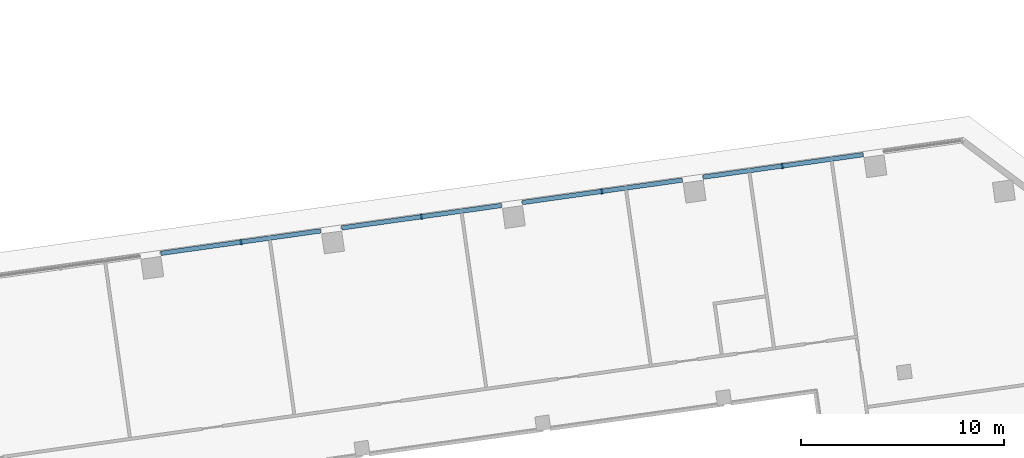
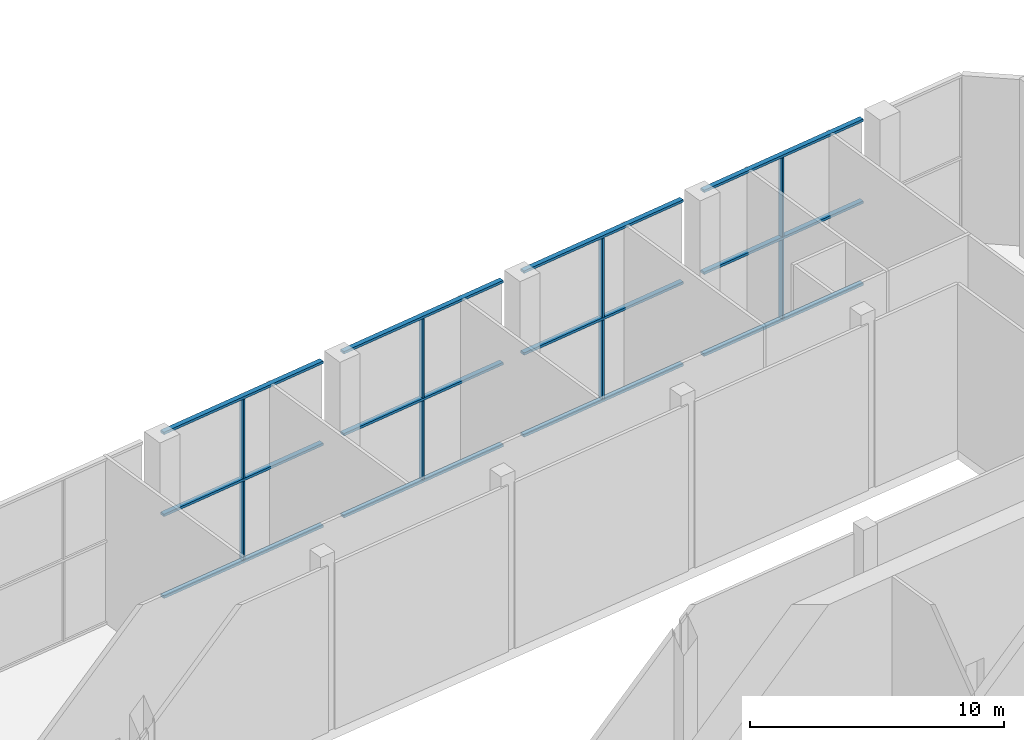
# One storey, part 9 of 31: 20 members, 1 element without a shape of its own.
"""IFC4 building model written with IfcOpenShell, lengths in metres."""

from ifc_helpers import new_model, si_unit, direction, frame, origin, origin_2d, place, context, subcontext, project, spatial, rectangle, extrude, material, material_profile, profile_set, type_object, element, aggregate, save


model = new_model("IFC4")

# Units and contexts
model_context = context("Model", 3, precision=1e-05, world=origin(), true_north=direction((0.0, 1.0)))
body_context = subcontext(model_context, "Body", "Model", "MODEL_VIEW")
ifc_project = project(units=[si_unit("LENGTHUNIT", "METRE"), si_unit("AREAUNIT", "SQUARE_METRE"), si_unit("VOLUMEUNIT", "CUBIC_METRE"), si_unit("PLANEANGLEUNIT", "RADIAN"), si_unit("MASSUNIT", "GRAM", prefix="KILO")], contexts=[model_context])

# Site, building, storey
site_placement = place(None, origin())
site = spatial("IfcSite", under=ifc_project, at=site_placement, CompositionType="ELEMENT")
building_placement = place(site_placement, origin())
building = spatial("IfcBuilding", under=site, at=building_placement, Name="Mirante Cascada Hotel Towers", CompositionType="ELEMENT")
storey_placement = place(building_placement, frame((0.0, 0.0, 9.0)))
storey = spatial("IfcBuildingStorey", under=building, at=storey_placement, Name="L01", CompositionType="ELEMENT", Elevation=9.0)

# Curtain wall, members
ifc_material_1 = material(Name="Aluminium mullion and transom frame with clear laminated glass", Category="aluminium")
curtain_wall_type = type_object("IfcCurtainWallType", Name="Podium curtain wall ECW3", PredefinedType="NOTDEFINED", material=ifc_material_1)
curtain_wall_placement = place(storey_placement, origin())
curtain_wall = element("IfcCurtainWall", 1, at=curtain_wall_placement, inside=storey, type_object=curtain_wall_type, Name="Front podium glazing T2 L01", PredefinedType="NOTDEFINED")
ifc_material_2 = material(Name="Anodised aluminium extrusion", Category="aluminium")
ifc_material_profile_1 = material_profile(ifc_material_2, rectangle(XDim=0.26, YDim=0.08, at=origin_2d()), Name="ECW3 MULLION 80x260")
ifc_profile_set_1 = profile_set([ifc_material_profile_1], Name="Anodised aluminium extrusion")
member_type_1 = type_object("IfcMemberType", Name="ECW3 mullion 80x260", PredefinedType="MULLION", material=ifc_profile_set_1)
member_1_placement = place(storey_placement, frame((85.2633, 24.802, 0.12), z_axis=(0.0, 0.0, 1.0), x_axis=(0.1391731, -0.9902681, 0.0)))
member_1 = element("IfcMember", 2, at=member_1_placement, type_object=member_type_1, Name="ECW3 mullion 3", PredefinedType="MULLION", context=body_context, shape_type="SweptSolid", body=[
    extrude(rectangle(XDim=0.26, YDim=0.08, at=origin_2d()), origin(), (0.0, 0.0, 1.0), 3.82),
])
member_2_placement = place(storey_placement, frame((85.2633, 24.802, 4.06), z_axis=(0.0, 0.0, 1.0), x_axis=(0.1391731, -0.9902681, 0.0)))
member_2 = element("IfcMember", 3, at=member_2_placement, type_object=member_type_1, Name="ECW3 mullion 3", PredefinedType="MULLION", context=body_context, shape_type="SweptSolid", body=[
    extrude(rectangle(XDim=0.26, YDim=0.08, at=origin_2d()), origin(), (0.0, 0.0, 1.0), 3.82),
])
member_3_placement = place(storey_placement, frame((76.3685, 23.5519, 0.12), z_axis=(0.0, 0.0, 1.0), x_axis=(0.1391731, -0.9902681, 0.0)))
member_3 = element("IfcMember", 4, at=member_3_placement, type_object=member_type_1, Name="ECW3 mullion 5", PredefinedType="MULLION", context=body_context, shape_type="SweptSolid", body=[
    extrude(rectangle(XDim=0.26, YDim=0.08, at=origin_2d()), origin(), (0.0, 0.0, 1.0), 3.82),
])
member_4_placement = place(storey_placement, frame((76.3685, 23.5519, 4.06), z_axis=(0.0, 0.0, 1.0), x_axis=(0.1391731, -0.9902681, 0.0)))
member_4 = element("IfcMember", 5, at=member_4_placement, type_object=member_type_1, Name="ECW3 mullion 5", PredefinedType="MULLION", context=body_context, shape_type="SweptSolid", body=[
    extrude(rectangle(XDim=0.26, YDim=0.08, at=origin_2d()), origin(), (0.0, 0.0, 1.0), 3.82),
])
member_5_placement = place(storey_placement, frame((67.4737, 22.3018, 0.12), z_axis=(0.0, 0.0, 1.0), x_axis=(0.1391731, -0.9902681, 0.0)))
member_5 = element("IfcMember", 6, at=member_5_placement, type_object=member_type_1, Name="ECW3 mullion 7", PredefinedType="MULLION", context=body_context, shape_type="SweptSolid", body=[
    extrude(rectangle(XDim=0.26, YDim=0.08, at=origin_2d()), origin(), (0.0, 0.0, 1.0), 3.82),
])
member_6_placement = place(storey_placement, frame((67.4737, 22.3018, 4.06), z_axis=(0.0, 0.0, 1.0), x_axis=(0.1391731, -0.9902681, 0.0)))
member_6 = element("IfcMember", 7, at=member_6_placement, type_object=member_type_1, Name="ECW3 mullion 7", PredefinedType="MULLION", context=body_context, shape_type="SweptSolid", body=[
    extrude(rectangle(XDim=0.26, YDim=0.08, at=origin_2d()), origin(), (0.0, 0.0, 1.0), 3.82),
])
member_7_placement = place(storey_placement, frame((58.5788, 21.0517, 0.12), z_axis=(0.0, 0.0, 1.0), x_axis=(0.1391731, -0.9902681, 0.0)))
member_7 = element("IfcMember", 8, at=member_7_placement, type_object=member_type_1, Name="ECW3 mullion 9", PredefinedType="MULLION", context=body_context, shape_type="SweptSolid", body=[
    extrude(rectangle(XDim=0.26, YDim=0.08, at=origin_2d()), origin(), (0.0, 0.0, 1.0), 3.82),
])
member_8_placement = place(storey_placement, frame((58.5788, 21.0517, 4.06), z_axis=(0.0, 0.0, 1.0), x_axis=(0.1391731, -0.9902681, 0.0)))
member_8 = element("IfcMember", 9, at=member_8_placement, type_object=member_type_1, Name="ECW3 mullion 9", PredefinedType="MULLION", context=body_context, shape_type="SweptSolid", body=[
    extrude(rectangle(XDim=0.26, YDim=0.08, at=origin_2d()), origin(), (0.0, 0.0, 1.0), 3.82),
])
ifc_material_3 = material(Name="Anodised aluminium extrusion", Category="aluminium")
ifc_material_profile_2 = material_profile(ifc_material_3, rectangle(XDim=0.22, YDim=0.12, at=origin_2d()), Name="ECW3 TRANSOM 120x220")
ifc_profile_set_2 = profile_set([ifc_material_profile_2], Name="Anodised aluminium extrusion")
member_type_2 = type_object("IfcMemberType", Name="ECW3 transom 120x220", PredefinedType="USERDEFINED", material=ifc_profile_set_2)
member_9_placement = place(storey_placement, frame((89.2485, 25.3621, 0.06), z_axis=(-0.9902683, -0.1391715, 0.0), x_axis=(0.1391715, -0.9902683, 0.0)))
member_9 = element("IfcMember", 10, at=member_9_placement, type_object=member_type_2, Name="ECW3 sill transom", ObjectType="TRANSOM", PredefinedType="USERDEFINED", context=body_context, shape_type="SweptSolid", body=[
    extrude(rectangle(XDim=0.22, YDim=0.12, at=origin_2d()), origin(), (0.0, 0.0, 1.0), 7.96),
])
member_10_placement = place(storey_placement, frame((80.3361, 24.1095, 0.06), z_axis=(-0.9902683, -0.1391715, 0.0), x_axis=(0.1391715, -0.9902683, 0.0)))
member_10 = element("IfcMember", 11, at=member_10_placement, type_object=member_type_2, Name="ECW3 sill transom", ObjectType="TRANSOM", PredefinedType="USERDEFINED", context=body_context, shape_type="SweptSolid", body=[
    extrude(rectangle(XDim=0.22, YDim=0.12, at=origin_2d()), origin(), (0.0, 0.0, 1.0), 7.96),
])
member_11_placement = place(storey_placement, frame((71.4237, 22.857, 0.06), z_axis=(-0.9902683, -0.1391715, 0.0), x_axis=(0.1391715, -0.9902683, 0.0)))
member_11 = element("IfcMember", 12, at=member_11_placement, type_object=member_type_2, Name="ECW3 sill transom", ObjectType="TRANSOM", PredefinedType="USERDEFINED", context=body_context, shape_type="SweptSolid", body=[
    extrude(rectangle(XDim=0.22, YDim=0.12, at=origin_2d()), origin(), (0.0, 0.0, 1.0), 7.96),
])
member_12_placement = place(storey_placement, frame((62.5113, 21.6044, 0.06), z_axis=(-0.9902683, -0.1391715, 0.0), x_axis=(0.1391715, -0.9902683, 0.0)))
member_12 = element("IfcMember", 13, at=member_12_placement, type_object=member_type_2, Name="ECW3 sill transom", ObjectType="TRANSOM", PredefinedType="USERDEFINED", context=body_context, shape_type="SweptSolid", body=[
    extrude(rectangle(XDim=0.22, YDim=0.12, at=origin_2d()), origin(), (0.0, 0.0, 1.0), 7.96),
])
member_13_placement = place(storey_placement, frame((89.2485, 25.3621, 4.0), z_axis=(-0.9902683, -0.1391715, 0.0), x_axis=(0.1391715, -0.9902683, 0.0)))
member_13 = element("IfcMember", 14, at=member_13_placement, type_object=member_type_2, Name="ECW3 intermediate transom", ObjectType="TRANSOM", PredefinedType="USERDEFINED", context=body_context, shape_type="SweptSolid", body=[
    extrude(rectangle(XDim=0.22, YDim=0.12, at=origin_2d()), origin(), (0.0, 0.0, 1.0), 7.96),
])
member_14_placement = place(storey_placement, frame((80.3361, 24.1095, 4.0), z_axis=(-0.9902683, -0.1391715, 0.0), x_axis=(0.1391715, -0.9902683, 0.0)))
member_14 = element("IfcMember", 15, at=member_14_placement, type_object=member_type_2, Name="ECW3 intermediate transom", ObjectType="TRANSOM", PredefinedType="USERDEFINED", context=body_context, shape_type="SweptSolid", body=[
    extrude(rectangle(XDim=0.22, YDim=0.12, at=origin_2d()), origin(), (0.0, 0.0, 1.0), 7.96),
])
member_15_placement = place(storey_placement, frame((71.4237, 22.857, 4.0), z_axis=(-0.9902683, -0.1391715, 0.0), x_axis=(0.1391715, -0.9902683, 0.0)))
member_15 = element("IfcMember", 16, at=member_15_placement, type_object=member_type_2, Name="ECW3 intermediate transom", ObjectType="TRANSOM", PredefinedType="USERDEFINED", context=body_context, shape_type="SweptSolid", body=[
    extrude(rectangle(XDim=0.22, YDim=0.12, at=origin_2d()), origin(), (0.0, 0.0, 1.0), 7.96),
])
member_16_placement = place(storey_placement, frame((62.5113, 21.6044, 4.0), z_axis=(-0.9902683, -0.1391715, 0.0), x_axis=(0.1391715, -0.9902683, 0.0)))
member_16 = element("IfcMember", 17, at=member_16_placement, type_object=member_type_2, Name="ECW3 intermediate transom", ObjectType="TRANSOM", PredefinedType="USERDEFINED", context=body_context, shape_type="SweptSolid", body=[
    extrude(rectangle(XDim=0.22, YDim=0.12, at=origin_2d()), origin(), (0.0, 0.0, 1.0), 7.96),
])
member_17_placement = place(storey_placement, frame((89.2485, 25.3621, 7.94), z_axis=(-0.9902683, -0.1391715, 0.0), x_axis=(0.1391715, -0.9902683, 0.0)))
member_17 = element("IfcMember", 18, at=member_17_placement, type_object=member_type_2, Name="ECW3 head transom", ObjectType="TRANSOM", PredefinedType="USERDEFINED", context=body_context, shape_type="SweptSolid", body=[
    extrude(rectangle(XDim=0.22, YDim=0.12, at=origin_2d()), origin(), (0.0, 0.0, 1.0), 7.96),
])
member_18_placement = place(storey_placement, frame((80.3361, 24.1095, 7.94), z_axis=(-0.9902683, -0.1391715, 0.0), x_axis=(0.1391715, -0.9902683, 0.0)))
member_18 = element("IfcMember", 19, at=member_18_placement, type_object=member_type_2, Name="ECW3 head transom", ObjectType="TRANSOM", PredefinedType="USERDEFINED", context=body_context, shape_type="SweptSolid", body=[
    extrude(rectangle(XDim=0.22, YDim=0.12, at=origin_2d()), origin(), (0.0, 0.0, 1.0), 7.96),
])
member_19_placement = place(storey_placement, frame((71.4237, 22.857, 7.94), z_axis=(-0.9902683, -0.1391715, 0.0), x_axis=(0.1391715, -0.9902683, 0.0)))
member_19 = element("IfcMember", 20, at=member_19_placement, type_object=member_type_2, Name="ECW3 head transom", ObjectType="TRANSOM", PredefinedType="USERDEFINED", context=body_context, shape_type="SweptSolid", body=[
    extrude(rectangle(XDim=0.22, YDim=0.12, at=origin_2d()), origin(), (0.0, 0.0, 1.0), 7.96),
])
member_20_placement = place(storey_placement, frame((62.5113, 21.6044, 7.94), z_axis=(-0.9902683, -0.1391715, 0.0), x_axis=(0.1391715, -0.9902683, 0.0)))
member_20 = element("IfcMember", 21, at=member_20_placement, type_object=member_type_2, Name="ECW3 head transom", ObjectType="TRANSOM", PredefinedType="USERDEFINED", context=body_context, shape_type="SweptSolid", body=[
    extrude(rectangle(XDim=0.22, YDim=0.12, at=origin_2d()), origin(), (0.0, 0.0, 1.0), 7.96),
])
aggregate(curtain_wall, [member_9, member_10, member_11, member_12, member_13, member_14, member_15, member_16, member_17, member_18, member_19, member_20, member_1, member_2, member_3, member_4, member_5, member_6, member_7, member_8])

save(model, "model.ifc")
